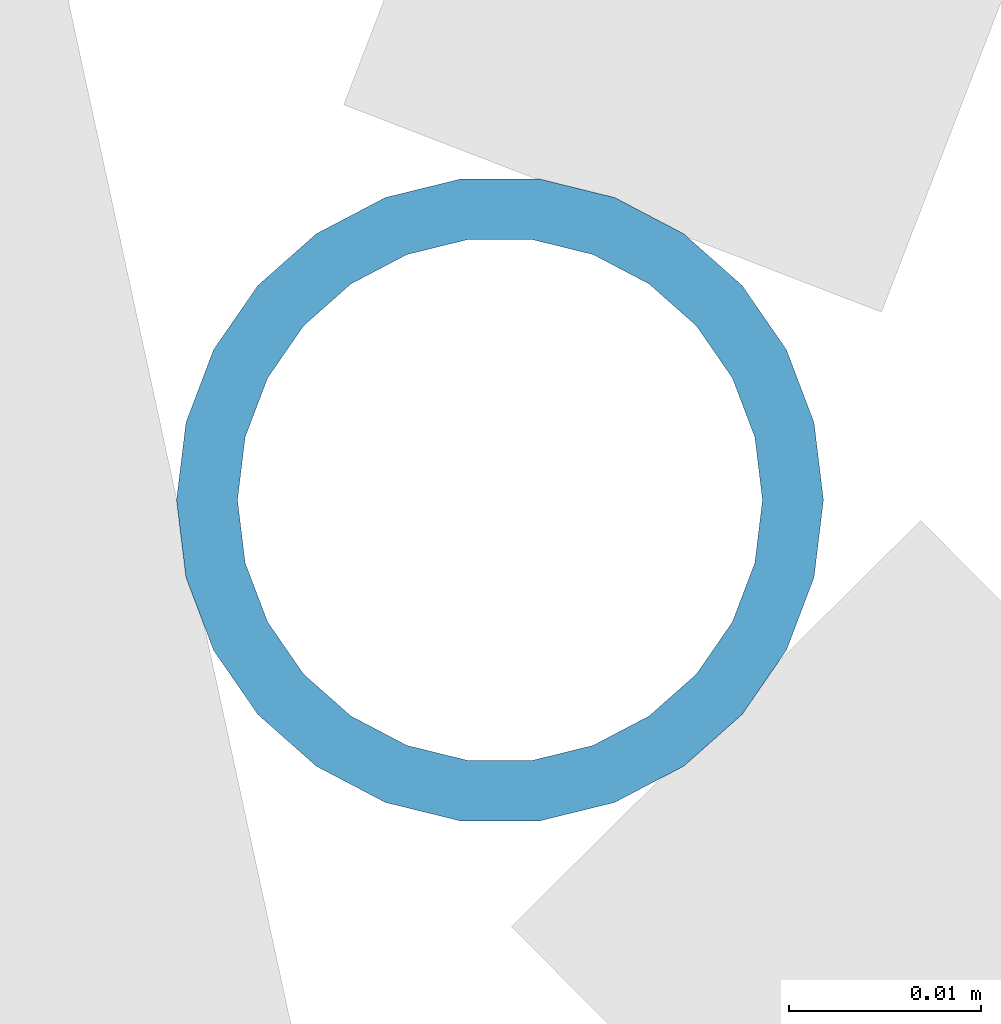
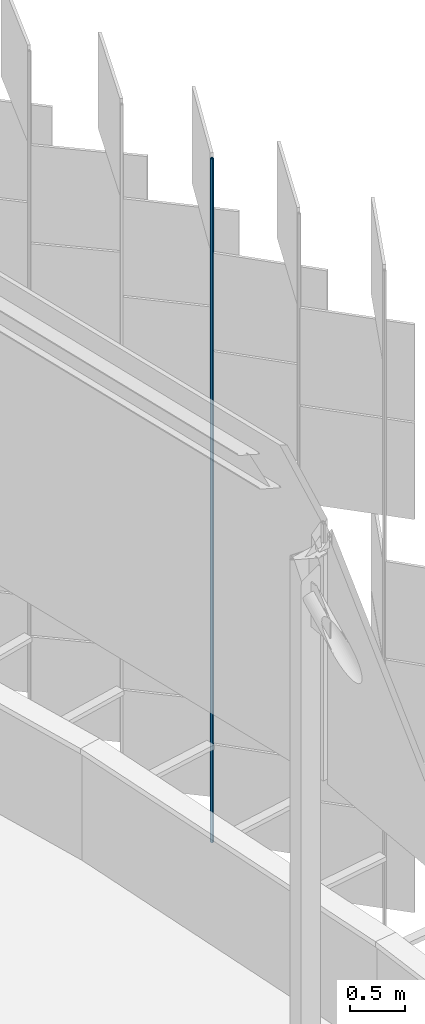
# One storey, part 299 of 483: 1 discrete accessory.
"""IFC4 building model written with IfcOpenShell, lengths in metres."""

from ifc_helpers import new_model, si_unit, direction, frame, origin, origin_2d, place, context, subcontext, project, spatial, hollow_circle, extrude, material, material_profile, profile_set, type_object, element, save


model = new_model("IFC4")

# Units and contexts
model_context = context("Model", 3, precision=1e-05, world=origin(), true_north=direction((0.0, 1.0)))
body_context = subcontext(model_context, "Body", "Model", "MODEL_VIEW")
ifc_project = project(units=[si_unit("LENGTHUNIT", "METRE"), si_unit("AREAUNIT", "SQUARE_METRE"), si_unit("VOLUMEUNIT", "CUBIC_METRE"), si_unit("PLANEANGLEUNIT", "RADIAN"), si_unit("MASSUNIT", "GRAM", prefix="KILO")], contexts=[model_context])

# Site, building, storey
site_placement = place(None, origin())
site = spatial("IfcSite", under=ifc_project, at=site_placement, CompositionType="ELEMENT")
building_placement = place(site_placement, origin())
building = spatial("IfcBuilding", under=site, at=building_placement, Name="Parallax Yard Mobility Hub", CompositionType="ELEMENT")
storey_placement = place(building_placement, frame((0.0, 0.0, 13.199951171875)))
storey = spatial("IfcBuildingStorey", under=building, at=storey_placement, Name="L04", CompositionType="ELEMENT", Elevation=13.199951171875)

# Discrete accessory
ifc_material = material(Name="Steel ASTM A500 Gr C, hot-dip galvanised", Category="steel")
ifc_material_profile = material_profile(ifc_material, hollow_circle(Radius=0.016845703125, WallThickness=0.003173828125, at=origin_2d()), Name="CHS 33.7x3.2")
ifc_profile_set = profile_set([ifc_material_profile], Name="Steel ASTM A500 Gr C, hot-dip galvanised")
discrete_accessory_type = type_object("IfcDiscreteAccessoryType", Name="Hinge post CHS 33.7x3.2", PredefinedType="BRACKET", material=ifc_profile_set)
discrete_accessory_placement = place(storey_placement, frame((224.485595703125, 101.860107421875, 0.0), z_axis=(0.0, 0.0, 1.0), x_axis=(1.0, 0.0, 0.0)))
element("IfcDiscreteAccessory", 1, at=discrete_accessory_placement, inside=storey, type_object=discrete_accessory_type, Name="Hinge post bay 42.4 level L04", PredefinedType="BRACKET", context=body_context, shape_type="SweptSolid", body=[
    extrude(hollow_circle(Radius=0.016845703125, WallThickness=0.003173828125, at=origin_2d()), origin(), (0.0, 0.0, 1.0), 7.650146484375),
])

save(model, "model.ifc")
